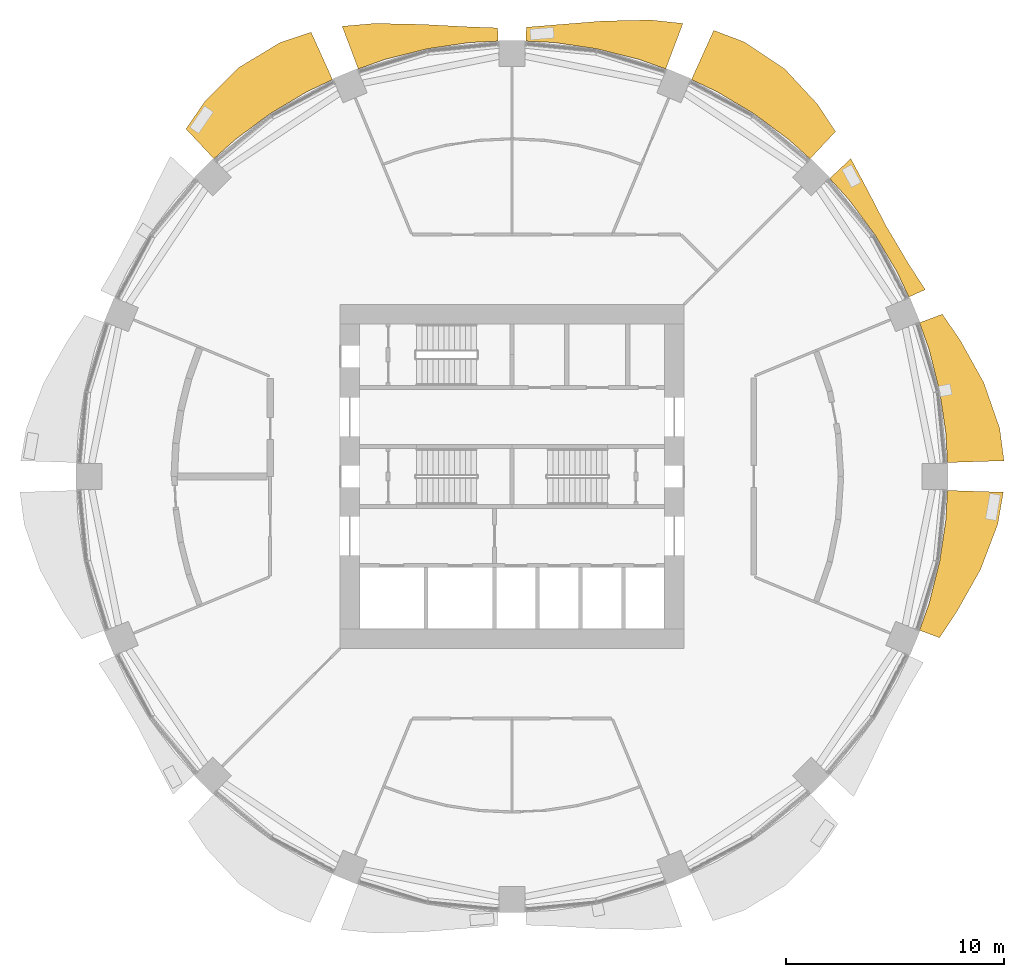
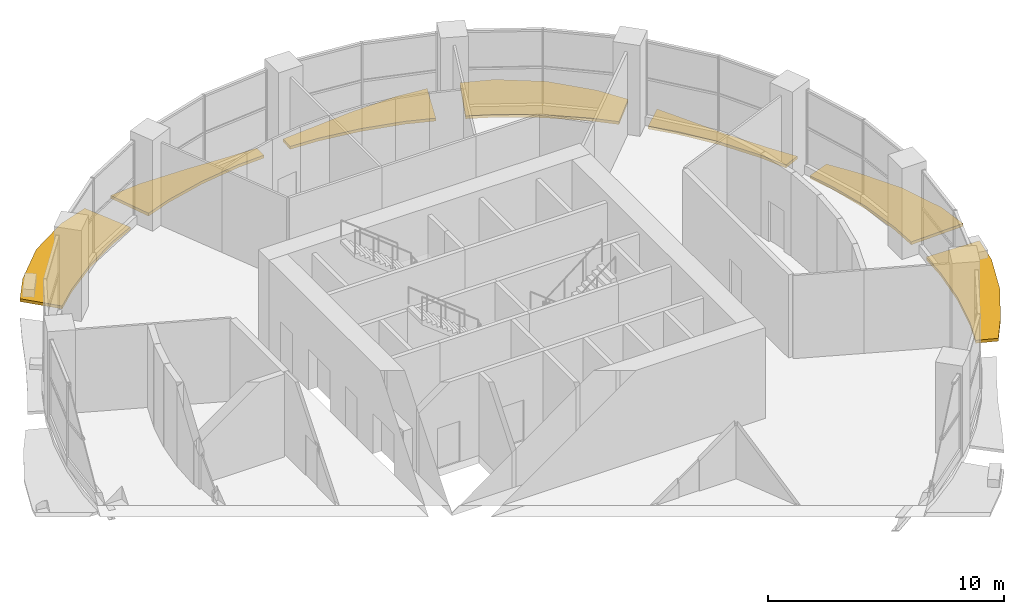
# One storey, part 13 of 14: 7 shading devices.
"""IFC4 building model written with IfcOpenShell, lengths in metres."""

from ifc_helpers import new_model, si_unit, direction, frame, origin, place, context, subcontext, project, spatial, polyline, outline, extrude, material, type_object, element, save


model = new_model("IFC4")

# Units and contexts
model_context = context("Model", 3, precision=1e-05, world=origin(), true_north=direction((0.0, 1.0)))
body_context = subcontext(model_context, "Body", "Model", "MODEL_VIEW")
ifc_project = project(units=[si_unit("LENGTHUNIT", "METRE"), si_unit("AREAUNIT", "SQUARE_METRE"), si_unit("VOLUMEUNIT", "CUBIC_METRE"), si_unit("PLANEANGLEUNIT", "RADIAN"), si_unit("MASSUNIT", "GRAM", prefix="KILO")], contexts=[model_context])

# Site, building, storey
site_placement = place(None, origin())
site = spatial("IfcSite", under=ifc_project, at=site_placement, CompositionType="ELEMENT")
building_placement = place(site_placement, origin())
building = spatial("IfcBuilding", under=site, at=building_placement, Name="Polderwave Tower", CompositionType="ELEMENT")
storey_placement = place(building_placement, frame((0.0, 0.0, 5.199951171875)))
storey = spatial("IfcBuildingStorey", under=building, at=storey_placement, Name="L01", CompositionType="ELEMENT", Elevation=5.199951171875)

# Shading devices
ifc_material = material(Name="Terracotta", Category="masonry")
shading_device_type = type_object("IfcShadingDeviceType", Name="Terracotta sunshade band", PredefinedType="USERDEFINED", material=ifc_material)
shading_device_1_placement = place(storey_placement, frame((0.0, 0.0, -0.39990234375)))
element("IfcShadingDevice", 1, at=shading_device_1_placement, inside=storey, type_object=shading_device_type, Name="Sunshade band L01 1", ObjectType="SUNSHADE", PredefinedType="USERDEFINED", context=body_context, shape_type="SweptSolid", body=[
    extrude(outline(polyline([(19.9287109375, 0.637451171875), (19.864013671875, 1.956298828125), (19.576416015625, 3.89404296875), (19.1005859375, 5.794189453125), (18.655517578125, 7.03759765625), (19.696044921875, 7.429931640625), (20.524169921875, 6.225830078125), (21.595703125, 4.295654296875), (22.326904296875, 2.198974609375), (22.521484375, 0.72021484375), (19.9287109375, 0.637451171875)])), origin(), (0.0, 0.0, 1.0), 0.14990234375),
])
shading_device_2_placement = place(storey_placement, frame((0.0, 0.0, -0.39990234375)))
element("IfcShadingDevice", 2, at=shading_device_2_placement, inside=storey, type_object=shading_device_type, Name="Sunshade band L01 2", ObjectType="SUNSHADE", PredefinedType="USERDEFINED", context=body_context, shape_type="SweptSolid", body=[
    extrude(outline(polyline([(18.167724609375, 8.215087890625), (17.60302734375, 9.4091796875), (16.59619140625, 11.089111328125), (15.42919921875, 12.66259765625), (14.54248046875, 13.64111328125), (15.510986328125, 14.549560546875), (16.184326171875, 13.2822265625), (17.134521484375, 11.44873046875), (18.166748046875, 9.710205078125), (18.91552734375, 8.553466796875), (18.167724609375, 8.215087890625)])), origin(), (0.0, 0.0, 1.0), 0.14990234375),
])
shading_device_3_placement = place(storey_placement, frame((0.0, 0.0, -0.39990234375)))
element("IfcShadingDevice", 3, at=shading_device_3_placement, inside=storey, type_object=shading_device_type, Name="Sunshade band L01 3", ObjectType="SUNSHADE", PredefinedType="USERDEFINED", context=body_context, shape_type="SweptSolid", body=[
    extrude(outline(polyline([(13.64111328125, 14.54248046875), (12.66259765625, 15.42919921875), (11.089111328125, 16.59619140625), (9.4091796875, 17.60302734375), (8.215087890625, 18.167724609375), (9.234130859375, 20.4208984375), (10.631591796875, 19.890625), (12.4716796875, 18.665283203125), (13.984619140625, 17.040283203125), (14.809326171875, 15.7880859375), (13.64111328125, 14.54248046875)])), origin(), (0.0, 0.0, 1.0), 0.14990234375),
])
shading_device_4_placement = place(storey_placement, frame((0.0, 0.0, -0.39990234375)))
element("IfcShadingDevice", 4, at=shading_device_4_placement, inside=storey, type_object=shading_device_type, Name="Sunshade band L01 4", ObjectType="SUNSHADE", PredefinedType="USERDEFINED", context=body_context, shape_type="SweptSolid", body=[
    extrude(outline(polyline([(7.03759765625, 18.655517578125), (5.794189453125, 19.1005859375), (3.89404296875, 19.576416015625), (1.956298828125, 19.864013671875), (0.637451171875, 19.9287109375), (0.65771484375, 20.566162109375), (2.03662109375, 20.677978515625), (4.146728515625, 20.847412109375), (6.3388671875, 20.896240234375), (7.823486328125, 20.739013671875), (7.03759765625, 18.655517578125)])), origin(), (0.0, 0.0, 1.0), 0.14990234375),
])
shading_device_5_placement = place(storey_placement, frame((0.0, 0.0, -0.39990234375)))
element("IfcShadingDevice", 5, at=shading_device_5_placement, inside=storey, type_object=shading_device_type, Name="Sunshade band L01 5", ObjectType="SUNSHADE", PredefinedType="USERDEFINED", context=body_context, shape_type="SweptSolid", body=[
    extrude(outline(polyline([(-0.637451171875, 19.9287109375), (-1.956298828125, 19.864013671875), (-3.89404296875, 19.576416015625), (-5.794189453125, 19.1005859375), (-7.03759765625, 18.655517578125), (-7.7744140625, 20.609130859375), (-6.291015625, 20.739013671875), (-4.11669921875, 20.69580078125), (-2.027587890625, 20.58544921875), (-0.65673828125, 20.5341796875), (-0.637451171875, 19.9287109375)])), origin(), (0.0, 0.0, 1.0), 0.14990234375),
])
shading_device_6_placement = place(storey_placement, frame((0.0, 0.0, -0.39990234375)))
element("IfcShadingDevice", 6, at=shading_device_6_placement, inside=storey, type_object=shading_device_type, Name="Sunshade band L01 6", ObjectType="SUNSHADE", PredefinedType="USERDEFINED", context=body_context, shape_type="SweptSolid", body=[
    extrude(outline(polyline([(-8.215087890625, 18.167724609375), (-9.4091796875, 17.60302734375), (-11.089111328125, 16.59619140625), (-12.66259765625, 15.42919921875), (-13.64111328125, 14.54248046875), (-14.921875, 15.90771484375), (-14.072998046875, 17.147705078125), (-12.50732421875, 18.718505859375), (-10.6162109375, 19.86181640625), (-9.195556640625, 20.335693359375), (-8.215087890625, 18.167724609375)])), origin(), (0.0, 0.0, 1.0), 0.14990234375),
])
shading_device_7_placement = place(storey_placement, frame((0.0, 0.0, -0.39990234375)))
element("IfcShadingDevice", 7, at=shading_device_7_placement, inside=storey, type_object=shading_device_type, Name="Sunshade band L01 16", ObjectType="SUNSHADE", PredefinedType="USERDEFINED", context=body_context, shape_type="SweptSolid", body=[
    extrude(outline(polyline([(18.655517578125, -7.03759765625), (19.1005859375, -5.794189453125), (19.576416015625, -3.89404296875), (19.864013671875, -1.956298828125), (19.9287109375, -0.637451171875), (22.489501953125, -0.71923828125), (22.234619140625, -2.18994140625), (21.44384765625, -4.265380859375), (20.3671875, -6.17822265625), (19.56640625, -7.381103515625), (18.655517578125, -7.03759765625)])), origin(), (0.0, 0.0, 1.0), 0.14990234375),
])

save(model, "model.ifc")
